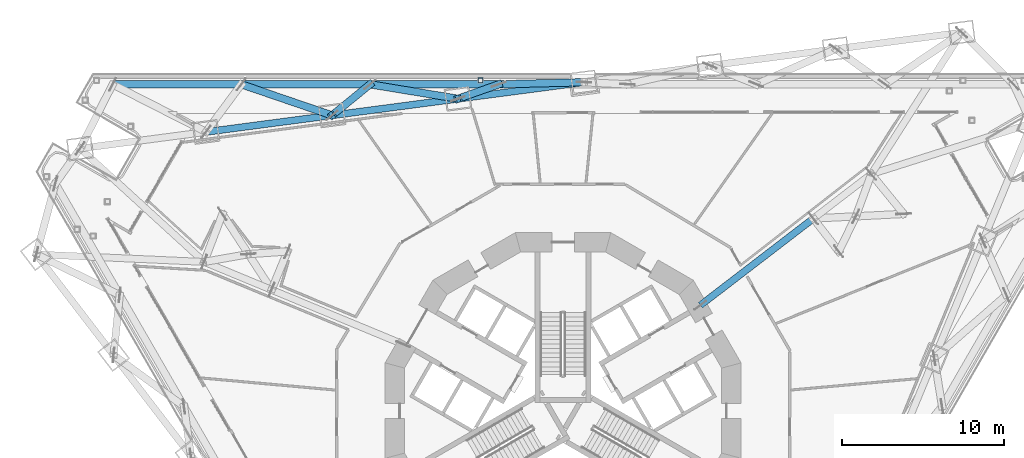
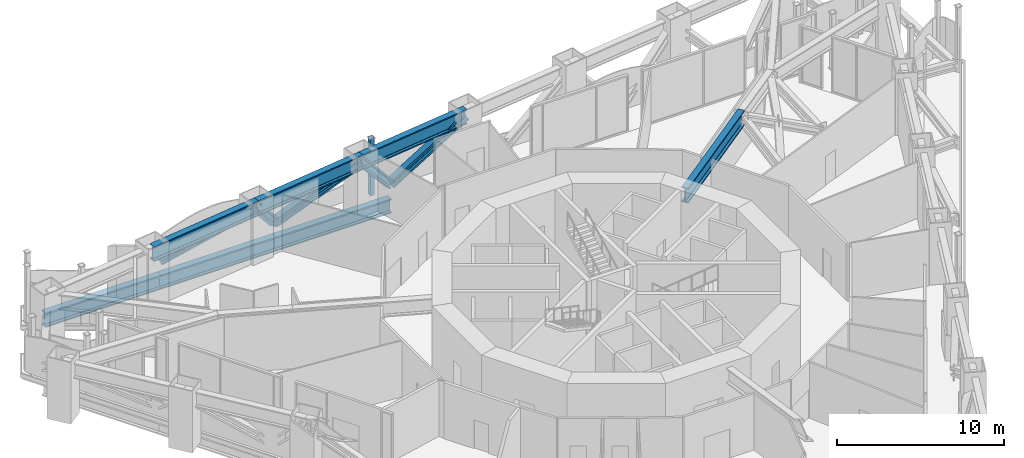
# One storey, part 4 of 28: 12 members, 1 beam.
"""IFC4 building model written with IfcOpenShell, lengths in metres."""

from ifc_helpers import new_model, si_unit, direction, frame, origin, origin_2d, place, context, subcontext, project, spatial, hollow_rectangle, i_section, extrude, material, material_profile, profile_set, type_object, element, save


model = new_model("IFC4")

# Units and contexts
model_context = context("Model", 3, precision=1e-05, world=origin(), true_north=direction((0.0, 1.0)))
body_context = subcontext(model_context, "Body", "Model", "MODEL_VIEW")
ifc_project = project(units=[si_unit("LENGTHUNIT", "METRE"), si_unit("AREAUNIT", "SQUARE_METRE"), si_unit("VOLUMEUNIT", "CUBIC_METRE"), si_unit("PLANEANGLEUNIT", "RADIAN"), si_unit("MASSUNIT", "GRAM", prefix="KILO")], contexts=[model_context])

# Site, building, storey
site_placement = place(None, origin())
site = spatial("IfcSite", under=ifc_project, at=site_placement, CompositionType="ELEMENT")
building_placement = place(site_placement, origin())
building = spatial("IfcBuilding", under=site, at=building_placement, Name="Trine Commons Tower", CompositionType="ELEMENT")
storey_placement = place(building_placement, frame((0.0, 0.0, 45.89990234375)))
storey = spatial("IfcBuildingStorey", under=building, at=storey_placement, Name="L10", CompositionType="ELEMENT", Elevation=45.89990234375)

# Beam
ifc_material_1 = material(Name="Structural steel ASTM A992 Gr50", Category="steel")
ifc_material_profile_1 = material_profile(ifc_material_1, i_section(OverallWidth=0.42529296875, OverallDepth=1.09228515625, WebThickness=0.04541015625, FlangeThickness=0.08203125, FilletRadius=0.030029296875, at=origin_2d()), Name="W40X593")
ifc_profile_set_1 = profile_set([ifc_material_profile_1], Name="Structural steel ASTM A992 Gr50")
beam_type = type_object("IfcBeamType", Name="Steel beam W40X593, ASTM A992 Gr50", PredefinedType="BEAM", material=ifc_profile_set_1)
beam_placement = place(storey_placement, frame((88.494140625, 69.017578125, 3.60400390625), z_axis=(0.793345095453, 0.608772173741, 0.0), x_axis=(-0.608772173741, 0.793345095453, 0.0)))
element("IfcBeam", 1, at=beam_placement, inside=storey, type_object=beam_type, Name="Transfer truss girder T1-UR-03", PredefinedType="BEAM", context=body_context, shape_type="SweptSolid", body=[
    extrude(i_section(OverallWidth=0.42529296875, OverallDepth=1.09228515625, WebThickness=0.04541015625, FlangeThickness=0.08203125, FilletRadius=0.030029296875, at=origin_2d()), origin(), (0.0, 0.0, 1.0), 8.81591796875),
])

# Members
ifc_material_profile_2 = material_profile(ifc_material_1, i_section(OverallWidth=0.4541015625, OverallDepth=0.568359375, WebThickness=0.077880859375, FlangeThickness=0.124755859375, FilletRadius=0.015380859375, at=origin_2d()), Name="W14X730")
ifc_profile_set_2 = profile_set([ifc_material_profile_2], Name="Structural steel ASTM A992 Gr50")
member_type_1 = type_object("IfcMemberType", Name="Steel brace W14X730, ASTM A992 Gr50", PredefinedType="BRACE", material=ifc_profile_set_2)
member_1_placement = place(storey_placement, frame((68.054931640625, 82.6845703125, 0.520751953125), z_axis=(-0.543712090791, -0.443265020567, 0.712666320145), x_axis=(0.63187884409, -0.775067175406, 0.0)))
element("IfcMember", 2, at=member_1_placement, inside=storey, type_object=member_type_1, Name="Transfer truss brace T1-DG-21", PredefinedType="BRACE", context=body_context, shape_type="SweptSolid", body=[
    extrude(i_section(OverallWidth=0.4541015625, OverallDepth=0.568359375, WebThickness=0.077880859375, FlangeThickness=0.124755859375, FilletRadius=0.015380859375, at=origin_2d()), origin(), (0.0, 0.0, 1.0), 4.326416015625),
])
member_2_placement = place(storey_placement, frame((60.091552734375, 82.6845703125, 0.520751953125), z_axis=(0.839550255956, -0.286936747184, 0.461327075772), x_axis=(0.323407347, 0.946259841643, 0.0)))
element("IfcMember", 3, at=member_2_placement, inside=storey, type_object=member_type_1, Name="Transfer truss brace T1-DG-22", PredefinedType="BRACE", context=body_context, shape_type="SweptSolid", body=[
    extrude(i_section(OverallWidth=0.4541015625, OverallDepth=0.568359375, WebThickness=0.077880859375, FlangeThickness=0.124755859375, FilletRadius=0.015380859375, at=origin_2d()), origin(), (0.0, 0.0, 1.0), 6.683349609375),
])
member_3_placement = place(storey_placement, frame((76.018310546875, 82.6845703125, 0.520751953125), z_axis=(-0.617919851881, -0.218413017719, 0.755295180934), x_axis=(0.333259223466, -0.9428352401, 0.0)))
element("IfcMember", 4, at=member_3_placement, inside=storey, type_object=member_type_1, Name="Transfer truss brace T1-DG-23", PredefinedType="BRACE", context=body_context, shape_type="SweptSolid", body=[
    extrude(i_section(OverallWidth=0.4541015625, OverallDepth=0.568359375, WebThickness=0.077880859375, FlangeThickness=0.124755859375, FilletRadius=0.015380859375, at=origin_2d()), origin(), (0.0, 0.0, 1.0), 4.082275390625),
])
member_4_placement = place(storey_placement, frame((68.054931640625, 82.6845703125, 0.520751953125), z_axis=(0.861308248008, -0.141142319022, 0.488084979992), x_axis=(0.161712818329, 0.986837861246, 0.0)))
element("IfcMember", 5, at=member_4_placement, inside=storey, type_object=member_type_1, Name="Transfer truss brace T1-DG-24", PredefinedType="BRACE", context=body_context, shape_type="SweptSolid", body=[
    extrude(i_section(OverallWidth=0.4541015625, OverallDepth=0.568359375, WebThickness=0.077880859375, FlangeThickness=0.124755859375, FilletRadius=0.015380859375, at=origin_2d()), origin(), (0.0, 0.0, 1.0), 6.317138671875),
])
member_5_placement = place(storey_placement, frame((76.018310546875, 82.6845703125, 0.520751953125), z_axis=(0.862953341649, 0.02198454481, 0.504805120741), x_axis=(-0.025467673603, 0.999675646198, 0.0)))
element("IfcMember", 6, at=member_5_placement, inside=storey, type_object=member_type_1, Name="Transfer truss brace T1-DG-26", PredefinedType="BRACE", context=body_context, shape_type="SweptSolid", body=[
    extrude(i_section(OverallWidth=0.4541015625, OverallDepth=0.568359375, WebThickness=0.077880859375, FlangeThickness=0.124755859375, FilletRadius=0.015380859375, at=origin_2d()), origin(), (0.0, 0.0, 1.0), 6.10791015625),
])
ifc_material_profile_3 = material_profile(ifc_material_1, i_section(OverallWidth=0.44775390625, OverallDepth=1.04150390625, WebThickness=0.050048828125, FlangeThickness=0.08984375, FilletRadius=0.024169921875, at=origin_2d()), Name="W36X652")
ifc_profile_set_3 = profile_set([ifc_material_profile_3], Name="Structural steel ASTM A992 Gr50")
member_type_2 = type_object("IfcMemberType", Name="Steel chord W36X652, ASTM A992 Gr50", PredefinedType="CHORD", material=ifc_profile_set_3)
for number, where, z_axis, x_axis, name in (
    (7, (52.128173828125, 82.6845703125, -0.970703125), (1.0, 0.0, 0.0), (0.0, 1.0, 0.0), "Transfer truss chord T1-LC-08"),
    (8, (60.091552734375, 82.6845703125, -0.970703125), (1.0, 0.0, 0.0), (0.0, 1.0, 0.0), "Transfer truss chord T1-LC-09"),
    (9, (68.054931640625, 82.6845703125, -0.970703125), (1.0, 0.0, 0.0), (0.0, 1.0, 0.0), "Transfer truss chord T1-LC-10"),
):
    element("IfcMember", number, at=place(storey_placement, frame(where, z_axis=z_axis, x_axis=x_axis)), inside=storey, type_object=member_type_2, Name=name, PredefinedType="CHORD", context=body_context, shape_type="SweptSolid", body=[
        extrude(i_section(OverallWidth=0.44775390625, OverallDepth=1.04150390625, WebThickness=0.050048828125, FlangeThickness=0.08984375, FilletRadius=0.024169921875, at=origin_2d()), origin(), (0.0, 0.0, 1.0), 7.96337890625),
    ])
ifc_material_profile_4 = material_profile(ifc_material_1, i_section(OverallWidth=0.42529296875, OverallDepth=1.09228515625, WebThickness=0.04541015625, FlangeThickness=0.08203125, FilletRadius=0.030029296875, at=origin_2d()), Name="W40X593")
ifc_profile_set_4 = profile_set([ifc_material_profile_4], Name="Structural steel ASTM A992 Gr50")
member_type_3 = type_object("IfcMemberType", Name="Steel chord W40X593, ASTM A992 Gr50", PredefinedType="CHORD", material=ifc_profile_set_4)
for number, where, z_axis, x_axis, name in (
    (10, (57.9091796875, 79.740966796875, 3.60400390625), (0.991447317077, 0.130507537947, 0.0), (-0.130507537947, 0.991447317077, 0.0), "Transfer truss chord T1-UC-09"),
    (11, (65.70263671875, 80.766845703125, 3.60400390625), (0.991442768667, 0.130542086924, 0.0), (-0.130542086924, 0.991442768667, 0.0), "Transfer truss chord T1-UC-10"),
):
    element("IfcMember", number, at=place(storey_placement, frame(where, z_axis=z_axis, x_axis=x_axis)), inside=storey, type_object=member_type_3, Name=name, PredefinedType="CHORD", context=body_context, shape_type="SweptSolid", body=[
        extrude(i_section(OverallWidth=0.42529296875, OverallDepth=1.09228515625, WebThickness=0.04541015625, FlangeThickness=0.08203125, FilletRadius=0.030029296875, at=origin_2d()), origin(), (0.0, 0.0, 1.0), 7.860595703125),
    ])
member_6_placement = place(storey_placement, frame((73.495849609375, 81.79296875, 3.60400390625), z_axis=(0.991446788058, 0.130511556763, 0.0), x_axis=(-0.130511556763, 0.991446788058, 0.0)))
element("IfcMember", 12, at=member_6_placement, inside=storey, type_object=member_type_3, Name="Transfer truss chord T1-UC-11", PredefinedType="CHORD", context=body_context, shape_type="SweptSolid", body=[
    extrude(i_section(OverallWidth=0.42529296875, OverallDepth=1.09228515625, WebThickness=0.04541015625, FlangeThickness=0.08203125, FilletRadius=0.030029296875, at=origin_2d()), origin(), (0.0, 0.0, 1.0), 7.8603515625),
])
ifc_material_2 = material(Name="Structural steel ASTM A500 Gr C", Category="steel")
ifc_material_profile_5 = material_profile(ifc_material_2, hollow_rectangle(XDim=0.3046875, YDim=0.3046875, WallThickness=0.014892578125, InnerFilletRadius=0.00732421875, OuterFilletRadius=0.022216796875, at=origin_2d()), Name="HSS12X12X5/8")
ifc_profile_set_5 = profile_set([ifc_material_profile_5], Name="Structural steel ASTM A500 Gr C")
member_type_4 = type_object("IfcMemberType", Name="Steel post HSS12X12X5/8, ASTM A500 Gr C", PredefinedType="POST", material=ifc_profile_set_5)
member_7_placement = place(storey_placement, frame((74.89013671875, 82.9345703125, 0.0), z_axis=(0.0, 0.0, 1.0), x_axis=(1.0, 0.0, 0.0)))
element("IfcMember", 13, at=member_7_placement, inside=storey, type_object=member_type_4, Name="Roof post SP1-23", PredefinedType="POST", context=body_context, shape_type="SweptSolid", body=[
    extrude(hollow_rectangle(XDim=0.3046875, YDim=0.3046875, WallThickness=0.014892578125, InnerFilletRadius=0.00732421875, OuterFilletRadius=0.022216796875, at=origin_2d()), origin(), (0.0, 0.0, 1.0), 4.150146484375),
])

save(model, "model.ifc")
